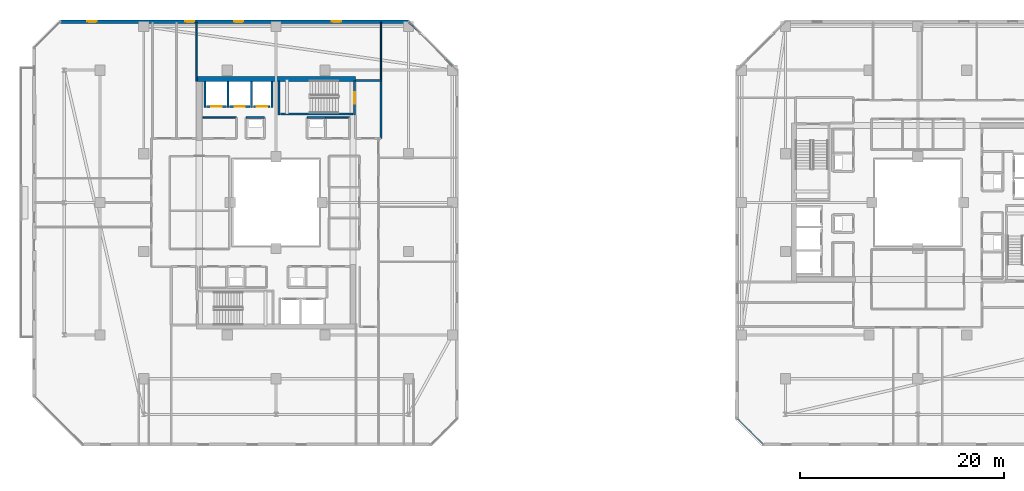
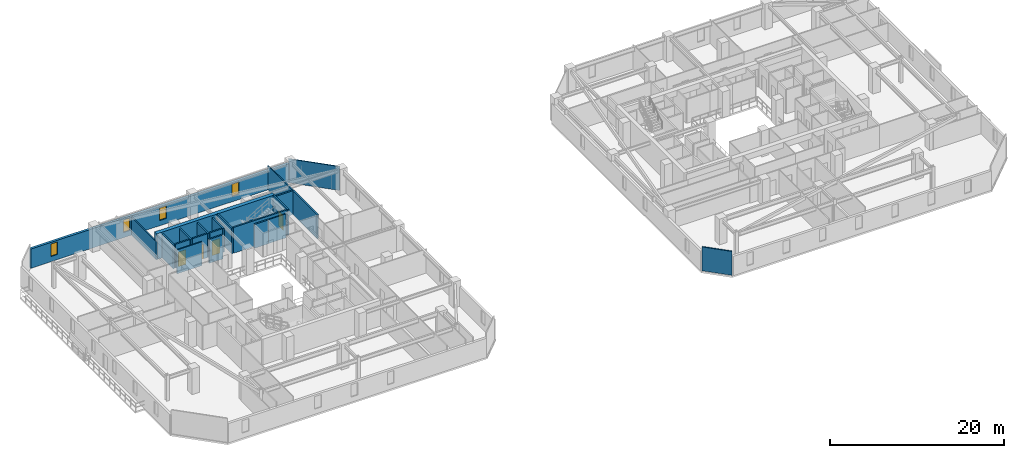
# One storey, part 21 of 32: 22 walls, 4 doors, 4 windows, 8 openings.
"""IFC4 building model written with IfcOpenShell, lengths in metres."""

from ifc_helpers import new_model, si_unit, direction, frame, frame_2d, origin, place, context, subcontext, project, spatial, rectangle, extrude, material, layer, layer_set, type_object, element, fill, save


model = new_model("IFC4")

# Units and contexts
model_context = context("Model", 3, precision=1e-05, world=origin(), true_north=direction((0.0, 1.0)))
body_context = subcontext(model_context, "Body", "Model", "MODEL_VIEW")
ifc_project = project(units=[si_unit("LENGTHUNIT", "METRE"), si_unit("AREAUNIT", "SQUARE_METRE"), si_unit("VOLUMEUNIT", "CUBIC_METRE"), si_unit("PLANEANGLEUNIT", "RADIAN"), si_unit("MASSUNIT", "GRAM", prefix="KILO")], contexts=[model_context])

# Site, building, storey
site_placement = place(None, origin())
site = spatial("IfcSite", under=ifc_project, at=site_placement, CompositionType="ELEMENT")
building_placement = place(site_placement, origin())
building = spatial("IfcBuilding", under=site, at=building_placement, Name="Thornwick Lancets Civic Towers", CompositionType="ELEMENT")
storey_placement = place(building_placement, frame((0.0, 0.0, 247.5)))
storey = spatial("IfcBuildingStorey", under=building, at=storey_placement, Name="L66", CompositionType="ELEMENT", Elevation=247.5)

# Wall, opening, door
ifc_material_1 = material(Name="Concrete blockwork C40/50", Category="masonry")
ifc_layer_1 = layer(ifc_material_1, 0.199951171875, Name="Concrete blockwork C40/50")
ifc_layer_set_1 = layer_set([ifc_layer_1], Name="Concrete blockwork C40/50")
wall_type_1 = type_object("IfcWallType", Name="WALL_COMP_200", PredefinedType="STANDARD", material=ifc_layer_set_1)
wall_1_placement = place(storey_placement, frame((24.919921875, 36.449951171875, 0.0), z_axis=(0.0, 0.0, 1.0), x_axis=(-1.0, 0.0, 0.0)))
wall_1 = element("IfcWall", 1, at=wall_1_placement, inside=storey, type_object=wall_type_1, Name="L66 Hoistway Front Wall FL-A2", PredefinedType="STANDARD", context=body_context, shape_type="SweptSolid", body=[
    extrude(rectangle(XDim=1.639892578125, YDim=0.199951171875, at=frame_2d((0.81982421875, 0.0))), origin(), (0.0, 0.0, 1.0), 3.340087890625),
])
opening_1_placement = place(wall_1_placement, frame((0.31005859375, 0.0, 0.0)))
opening_1 = element("IfcOpeningElement", 2, at=opening_1_placement, cuts=wall_1, Name="Opening LD-FL-A2", PredefinedType="OPENING", context=body_context, shape_type="SweptSolid", body=[
    extrude(rectangle(XDim=1.02001953125, YDim=2.06005859375, at=frame_2d((0.510009765625, 1.030029296875))), frame((0.0, 0.10986328125, 0.0), z_axis=(0.0, -1.0, 0.0), x_axis=(1.0, 0.0, 0.0)), (0.0, 0.0, 1.0), 0.219970703125),
])
ifc_material_2 = material(Name="Brushed bronze stainless steel", Category="steel")
door_type_1 = type_object("IfcDoorType", Name="DOOR_LIFT_SLIDE", OperationType="SLIDING_TO_LEFT", PredefinedType="DOOR", material=ifc_material_2)
door_1_placement = place(opening_1_placement, origin())
door_1 = element("IfcDoor", 3, at=door_1_placement, inside=storey, type_object=door_type_1, Name="L66 Sliding Lift Landing Door LD-FL-A2", OperationType="SLIDING_TO_LEFT", OverallHeight=2.06005859375, OverallWidth=1.02001953125, PredefinedType="DOOR", context=body_context, shape_type="SweptSolid", body=[
    extrude(rectangle(XDim=1.02001953125, YDim=2.06005859375, at=frame_2d((0.510009765625, 1.030029296875))), frame((0.0, 0.02490234375, 0.0), z_axis=(0.0, -1.0, 0.0), x_axis=(1.0, 0.0, 0.0)), (0.0, 0.0, 1.0), 0.050048828125),
])
fill(opening_1, door_1)

wall_2_placement = place(storey_placement, frame((22.919921875, 36.449951171875, 0.0), z_axis=(0.0, 0.0, 1.0), x_axis=(-1.0, 0.0, 0.0)))
wall_2 = element("IfcWall", 4, at=wall_2_placement, inside=storey, type_object=wall_type_1, Name="L66 Hoistway Front Wall PL-AH2", PredefinedType="STANDARD", context=body_context, shape_type="SweptSolid", body=[
    extrude(rectangle(XDim=1.989990234375, YDim=0.199951171875, at=frame_2d((0.9951171875, 0.0))), origin(), (0.0, 0.0, 1.0), 3.340087890625),
])
opening_2_placement = place(wall_2_placement, frame((0.485107421875, 0.0, 0.0)))
opening_2 = element("IfcOpeningElement", 5, at=opening_2_placement, cuts=wall_2, Name="Opening LD-PL-AH2", PredefinedType="OPENING", context=body_context, shape_type="SweptSolid", body=[
    extrude(rectangle(XDim=1.02001953125, YDim=2.06005859375, at=frame_2d((0.510009765625, 1.030029296875))), frame((0.0, 0.10986328125, 0.0), z_axis=(0.0, -1.0, 0.0), x_axis=(1.0, 0.0, 0.0)), (0.0, 0.0, 1.0), 0.219970703125),
])
door_2_placement = place(opening_2_placement, origin())
door_2 = element("IfcDoor", 6, at=door_2_placement, inside=storey, type_object=door_type_1, Name="L66 Sliding Lift Landing Door LD-PL-AH2", OperationType="SLIDING_TO_LEFT", OverallHeight=2.06005859375, OverallWidth=1.02001953125, PredefinedType="DOOR", context=body_context, shape_type="SweptSolid", body=[
    extrude(rectangle(XDim=1.02001953125, YDim=2.06005859375, at=frame_2d((0.510009765625, 1.030029296875))), frame((0.0, 0.02490234375, 0.0), z_axis=(0.0, -1.0, 0.0), x_axis=(1.0, 0.0, 0.0)), (0.0, 0.0, 1.0), 0.050048828125),
])
fill(opening_2, door_2)

wall_3_placement = place(storey_placement, frame((20.6201171875, 36.449951171875, 0.0), z_axis=(0.0, 0.0, 1.0), x_axis=(-1.0, 0.0, 0.0)))
wall_3 = element("IfcWall", 7, at=wall_3_placement, inside=storey, type_object=wall_type_1, Name="L66 Hoistway Front Wall PL-AH3", PredefinedType="STANDARD", context=body_context, shape_type="SweptSolid", body=[
    extrude(rectangle(XDim=1.940185546875, YDim=0.199951171875, at=frame_2d((0.97021484375, 0.0))), origin(), (0.0, 0.0, 1.0), 3.340087890625),
])
opening_3_placement = place(wall_3_placement, frame((0.4599609375, 0.0, 0.0)))
opening_3 = element("IfcOpeningElement", 8, at=opening_3_placement, cuts=wall_3, Name="Opening LD-PL-AH3", PredefinedType="OPENING", context=body_context, shape_type="SweptSolid", body=[
    extrude(rectangle(XDim=1.02001953125, YDim=2.06005859375, at=frame_2d((0.510009765625, 1.030029296875))), frame((0.0, 0.10986328125, 0.0), z_axis=(0.0, -1.0, 0.0), x_axis=(1.0, 0.0, 0.0)), (0.0, 0.0, 1.0), 0.219970703125),
])
door_3_placement = place(opening_3_placement, origin())
door_3 = element("IfcDoor", 9, at=door_3_placement, inside=storey, type_object=door_type_1, Name="L66 Sliding Lift Landing Door LD-PL-AH3", OperationType="SLIDING_TO_LEFT", OverallHeight=2.06005859375, OverallWidth=1.02001953125, PredefinedType="DOOR", context=body_context, shape_type="SweptSolid", body=[
    extrude(rectangle(XDim=1.02001953125, YDim=2.06005859375, at=frame_2d((0.510009765625, 1.030029296875))), frame((0.0, 0.02490234375, 0.0), z_axis=(0.0, -1.0, 0.0), x_axis=(1.0, 0.0, 0.0)), (0.0, 0.0, 1.0), 0.050048828125),
])
fill(opening_3, door_3)

# Walls
for number, where, z_axis, x_axis, name in (
    (10, (25.10009765625, 36.35205078125, 0.0), (0.0, 0.0, 1.0), (0.0, 1.0, 0.0), "L66 Hoistway Shaft Wall FL-A2 E"),
    (11, (23.10009765625, 36.35205078125, 0.0), (0.0, 0.0, 1.0), (0.0, 1.0, 0.0), "L66 Hoistway Shaft Wall FL-A2 W"),
    (12, (20.77490234375, 36.35205078125, 0.0), (0.0, 0.0, 1.0), (0.0, 1.0, 0.0), "L66 Hoistway Shaft Wall PL-AH2 W"),
    (13, (18.5, 36.35205078125, 0.0), (0.0, 0.0, 1.0), (0.0, 1.0, 0.0), "L66 Hoistway Shaft Wall PL-AH3 W"),
):
    element("IfcWall", number, at=place(storey_placement, frame(where, z_axis=z_axis, x_axis=x_axis)), inside=storey, type_object=wall_type_1, Name=name, PredefinedType="STANDARD", context=body_context, shape_type="SweptSolid", body=[
        extrude(rectangle(XDim=2.535888671875, YDim=0.199951171875, at=frame_2d((1.26806640625, 0.0))), origin(), (0.0, 0.0, 1.0), 3.340087890625),
    ])
wall_4_placement = place(storey_placement, frame((35.800048828125, 33.300048828125, 0.0), z_axis=(0.0, 0.0, 1.0), x_axis=(0.0, 1.0, 0.0)))
element("IfcWall", 14, at=wall_4_placement, inside=storey, type_object=wall_type_1, Name="L66 Partition L66-A-FFLOB2 E2", PredefinedType="STANDARD", context=body_context, shape_type="SweptSolid", body=[
    extrude(rectangle(XDim=5.699951171875, YDim=0.199951171875, at=frame_2d((2.85009765625, 0.0))), origin(), (0.0, 0.0, 1.0), 3.340087890625),
])
wall_5_placement = place(storey_placement, frame((35.800048828125, 39.0, 0.0), z_axis=(0.0, 0.0, 1.0), x_axis=(-1.0, 0.0, 0.0)))
element("IfcWall", 15, at=wall_5_placement, inside=storey, type_object=wall_type_1, Name="L66 Partition L66-A-FFLOB2 E3", PredefinedType="STANDARD", context=body_context, shape_type="SweptSolid", body=[
    extrude(rectangle(XDim=2.5, YDim=0.199951171875, at=frame_2d((1.25, 0.0))), origin(), (0.0, 0.0, 1.0), 3.340087890625),
])
for number, where, z_axis, x_axis, name in (
    (16, (24.35009765625, 35.35009765625, 0.0), (0.0, 0.0, 1.0), (-1.0, 0.0, 0.0), "L66 Partition L66-A-DUCT2 E3"),
    (17, (30.35009765625, 35.35009765625, 0.0), (0.0, 0.0, 1.0), (-1.0, 0.0, 0.0), "L66 Partition L66-A-RISER2 E3"),
):
    element("IfcWall", number, at=place(storey_placement, frame(where, z_axis=z_axis, x_axis=x_axis)), inside=storey, type_object=wall_type_1, Name=name, PredefinedType="STANDARD", context=body_context, shape_type="SweptSolid", body=[
        extrude(rectangle(XDim=1.800048828125, YDim=0.199951171875, at=frame_2d((0.89990234375, 0.0))), origin(), (0.0, 0.0, 1.0), 3.340087890625),
    ])
ifc_material_3 = material(Name="Concrete C50/60", Category="concrete")
ifc_layer_2 = layer(ifc_material_3, 0.5, Name="Concrete C50/60")
ifc_layer_set_2 = layer_set([ifc_layer_2], Name="Concrete C50/60")
wall_type_2 = type_object("IfcWallType", Name="WALL_CORE_500", PredefinedType="SHEAR", material=ifc_layer_set_2)
wall_6_placement = place(storey_placement, frame((17.699951171875, 39.14990234375, 0.0), z_axis=(0.0, 0.0, 1.0), x_axis=(1.0, 0.0, 0.0)))
element("IfcWall", 18, at=wall_6_placement, inside=storey, type_object=wall_type_2, Name="L66 Split Core A2 Shear Wall N", PredefinedType="SHEAR", context=body_context, shape_type="SweptSolid", body=[
    extrude(rectangle(XDim=15.60009765625, YDim=0.5, at=frame_2d((7.800048828125, 0.0))), origin(), (0.0, 0.0, 1.0), 3.60009765625),
])

# Wall, openings, windows
ifc_material_4 = material(Name="Insulated buff terracotta rainscreen on concrete C40/50", Category="masonry")
ifc_layer_3 = layer(ifc_material_4, 0.320068359375, Name="Insulated buff terracotta rainscreen on concrete C40/50")
ifc_layer_set_3 = layer_set([ifc_layer_3], Name="Insulated buff terracotta rainscreen on concrete C40/50")
wall_type_3 = type_object("IfcWallType", Name="WALL_EXT_TERRA_320", PredefinedType="STANDARD", material=ifc_layer_set_3)
wall_7_placement = place(storey_placement, frame((38.47509765625, 44.75732421875, 0.0), z_axis=(0.0, 0.0, 1.0), x_axis=(-0.99999997701, 0.000214431216, 0.0)))
wall_7 = element("IfcWall", 19, at=wall_7_placement, inside=storey, type_object=wall_type_3, Name="L66 Tower A Terracotta Facade Wall E4", PredefinedType="STANDARD", context=body_context, shape_type="SweptSolid", body=[
    extrude(rectangle(XDim=34.156494140625, YDim=0.320068359375, at=frame_2d((17.078125, 0.0))), origin(), (0.0, 0.0, 1.0), 2.699951171875),
])
opening_4_placement = place(wall_7_placement, frame((6.60009765625, 0.0, 0.719970703125)))
opening_4 = element("IfcOpeningElement", 20, at=opening_4_placement, cuts=wall_7, Name="Opening WL-01", PredefinedType="OPENING", context=body_context, shape_type="SweptSolid", body=[
    extrude(rectangle(XDim=0.89990234375, YDim=1.75, at=frame_2d((0.449951171875, 0.875))), frame((0.0, 0.169921875, 0.0), z_axis=(0.0, -1.0, 0.0), x_axis=(1.0, 0.0, 0.0)), (0.0, 0.0, 1.0), 0.340087890625),
])
opening_5_placement = place(wall_7_placement, frame((16.199951171875, 0.0, 0.719970703125)))
opening_5 = element("IfcOpeningElement", 21, at=opening_5_placement, cuts=wall_7, Name="Opening WL-01", PredefinedType="OPENING", context=body_context, shape_type="SweptSolid", body=[
    extrude(rectangle(XDim=0.89990234375, YDim=1.75, at=frame_2d((0.449951171875, 0.875))), frame((0.0, 0.169921875, 0.0), z_axis=(0.0, -1.0, 0.0), x_axis=(1.0, 0.0, 0.0)), (0.0, 0.0, 1.0), 0.340087890625),
])
opening_6_placement = place(wall_7_placement, frame((21.0, 0.0, 0.719970703125)))
opening_6 = element("IfcOpeningElement", 22, at=opening_6_placement, cuts=wall_7, Name="Opening WL-01", PredefinedType="OPENING", context=body_context, shape_type="SweptSolid", body=[
    extrude(rectangle(XDim=0.89990234375, YDim=1.75, at=frame_2d((0.449951171875, 0.875))), frame((0.0, 0.169921875, 0.0), z_axis=(0.0, -1.0, 0.0), x_axis=(1.0, 0.0, 0.0)), (0.0, 0.0, 1.0), 0.340087890625),
])
opening_7_placement = place(wall_7_placement, frame((30.60009765625, 0.0, 0.719970703125)))
opening_7 = element("IfcOpeningElement", 23, at=opening_7_placement, cuts=wall_7, Name="Opening WL-01", PredefinedType="OPENING", context=body_context, shape_type="SweptSolid", body=[
    extrude(rectangle(XDim=0.89990234375, YDim=1.75, at=frame_2d((0.449951171875, 0.875))), frame((0.0, 0.169921875, 0.0), z_axis=(0.0, -1.0, 0.0), x_axis=(1.0, 0.0, 0.0)), (0.0, 0.0, 1.0), 0.340087890625),
])
ifc_material_5 = material(Name="Clear low-e double glazing in bronze frame", Category="glass")
window_type = type_object("IfcWindowType", Name="WIN_LANCET_900", PartitioningType="SINGLE_PANEL", PredefinedType="WINDOW", material=ifc_material_5)
window_1_placement = place(opening_4_placement, origin())
window_1 = element("IfcWindow", 24, at=window_1_placement, inside=storey, type_object=window_type, Name="L66 Tower A Staggered Lancet Window E4-1", OverallHeight=1.75, OverallWidth=0.89990234375, PartitioningType="SINGLE_PANEL", PredefinedType="WINDOW", context=body_context, shape_type="SweptSolid", body=[
    extrude(rectangle(XDim=0.89990234375, YDim=1.75, at=frame_2d((0.449951171875, 0.875))), frame((0.0, 0.030029296875, 0.0), z_axis=(0.0, -1.0, 0.0), x_axis=(1.0, 0.0, 0.0)), (0.0, 0.0, 1.0), 0.06005859375),
])
fill(opening_4, window_1)
window_2_placement = place(opening_5_placement, origin())
window_2 = element("IfcWindow", 25, at=window_2_placement, inside=storey, type_object=window_type, Name="L66 Tower A Staggered Lancet Window E4-2", OverallHeight=1.75, OverallWidth=0.89990234375, PartitioningType="SINGLE_PANEL", PredefinedType="WINDOW", context=body_context, shape_type="SweptSolid", body=[
    extrude(rectangle(XDim=0.89990234375, YDim=1.75, at=frame_2d((0.449951171875, 0.875))), frame((0.0, 0.030029296875, 0.0), z_axis=(0.0, -1.0, 0.0), x_axis=(1.0, 0.0, 0.0)), (0.0, 0.0, 1.0), 0.06005859375),
])
fill(opening_5, window_2)
window_3_placement = place(opening_6_placement, origin())
window_3 = element("IfcWindow", 26, at=window_3_placement, inside=storey, type_object=window_type, Name="L66 Tower A Staggered Lancet Window E4-3", OverallHeight=1.75, OverallWidth=0.89990234375, PartitioningType="SINGLE_PANEL", PredefinedType="WINDOW", context=body_context, shape_type="SweptSolid", body=[
    extrude(rectangle(XDim=0.89990234375, YDim=1.75, at=frame_2d((0.449951171875, 0.875))), frame((0.0, 0.030029296875, 0.0), z_axis=(0.0, -1.0, 0.0), x_axis=(1.0, 0.0, 0.0)), (0.0, 0.0, 1.0), 0.06005859375),
])
fill(opening_6, window_3)
window_4_placement = place(opening_7_placement, origin())
window_4 = element("IfcWindow", 27, at=window_4_placement, inside=storey, type_object=window_type, Name="L66 Tower A Staggered Lancet Window E4-4", OverallHeight=1.75, OverallWidth=0.89990234375, PartitioningType="SINGLE_PANEL", PredefinedType="WINDOW", context=body_context, shape_type="SweptSolid", body=[
    extrude(rectangle(XDim=0.89990234375, YDim=1.75, at=frame_2d((0.449951171875, 0.875))), frame((0.0, 0.030029296875, 0.0), z_axis=(0.0, -1.0, 0.0), x_axis=(1.0, 0.0, 0.0)), (0.0, 0.0, 1.0), 0.06005859375),
])
fill(opening_7, window_4)

# Walls
ifc_material_6 = material(Name="Acoustic gypsum board partition")
ifc_layer_4 = layer(ifc_material_6, 0.1201171875, Name="Acoustic gypsum board partition")
ifc_layer_set_4 = layer_set([ifc_layer_4], Name="Acoustic gypsum board partition")
wall_type_4 = type_object("IfcWallType", Name="WALL_PART_120", PredefinedType="PARTITIONING", material=ifc_layer_set_4)
wall_8_placement = place(storey_placement, frame((35.800048828125, 39.0, 0.0), z_axis=(0.0, 0.0, 1.0), x_axis=(0.0, 1.0, 0.0)))
element("IfcWall", 28, at=wall_8_placement, inside=storey, type_object=wall_type_4, Name="L66 Partition L66-A-E4 E3", PredefinedType="PARTITIONING", context=body_context, shape_type="SweptSolid", body=[
    extrude(rectangle(XDim=5.719970703125, YDim=0.1201171875, at=frame_2d((2.85986328125, 0.0))), origin(), (0.0, 0.0, 1.0), 3.340087890625),
])
wall_9_placement = place(storey_placement, frame((38.510498046875, 44.719970703125, 0.0), z_axis=(0.0, 0.0, 1.0), x_axis=(0.707106781187, -0.707106781187, 0.0)))
element("IfcWall", 29, at=wall_9_placement, inside=storey, type_object=wall_type_4, Name="L66 Partition L66-A-E4 E5", PredefinedType="PARTITIONING", context=body_context, shape_type="SweptSolid", body=[
    extrude(rectangle(XDim=6.06640625, YDim=0.1201171875, at=frame_2d((3.033203125, 0.0))), origin(), (0.0, 0.0, 1.0), 3.340087890625),
])
ifc_material_7 = material(Name="Twin-stud acoustic gypsum board")
ifc_layer_5 = layer(ifc_material_7, 0.14990234375, Name="Twin-stud acoustic gypsum board")
ifc_layer_set_5 = layer_set([ifc_layer_5], Name="Twin-stud acoustic gypsum board")
wall_type_5 = type_object("IfcWallType", Name="WALL_PART_150", PredefinedType="PARTITIONING", material=ifc_layer_set_5)
wall_10_placement = place(storey_placement, frame((21.60009765625, 35.35009765625, 0.0), z_axis=(0.0, 0.0, 1.0), x_axis=(-1.0, 0.0, 0.0)))
element("IfcWall", 30, at=wall_10_placement, inside=storey, type_object=wall_type_5, Name="L66 Partition L66-A-MWC E3", PredefinedType="PARTITIONING", context=body_context, shape_type="SweptSolid", body=[
    extrude(rectangle(XDim=3.300048828125, YDim=0.14990234375, at=frame_2d((1.64990234375, 0.0))), origin(), (0.0, 0.0, 1.0), 3.340087890625),
])
wall_11_placement = place(storey_placement, frame((30.35009765625, 35.35009765625, 0.0), z_axis=(0.0, 0.0, 1.0), x_axis=(1.0, 0.0, 0.0)))
element("IfcWall", 31, at=wall_11_placement, inside=storey, type_object=wall_type_5, Name="L66 Partition L66-A-FWC E4", PredefinedType="PARTITIONING", context=body_context, shape_type="SweptSolid", body=[
    extrude(rectangle(XDim=2.349853515625, YDim=0.14990234375, at=frame_2d((1.1748046875, 0.0))), origin(), (0.0, 0.0, 1.0), 3.340087890625),
])
wall_12_placement = place(storey_placement, frame((17.699951171875, 44.719970703125, 0.0), z_axis=(0.0, 0.0, 1.0), x_axis=(0.0, -1.0, 0.0)))
element("IfcWall", 32, at=wall_12_placement, inside=storey, type_object=wall_type_5, Name="L66 Partition L66-A-RECLAIM-M2 E3", PredefinedType="PARTITIONING", context=body_context, shape_type="SweptSolid", body=[
    extrude(rectangle(XDim=5.820068359375, YDim=0.14990234375, at=frame_2d((2.91015625, 0.0))), origin(), (0.0, 0.0, 1.0), 2.544921875),
])
wall_13_placement = place(storey_placement, frame((73.274658203125, 3.280029296875, 0.0), z_axis=(0.0, 0.0, 1.0), x_axis=(-0.707106781187, 0.707106781187, 0.0)))
element("IfcWall", 33, at=wall_13_placement, inside=storey, type_object=wall_type_5, Name="L66 Partition L66-B-W2C E2", PredefinedType="PARTITIONING", context=body_context, shape_type="SweptSolid", body=[
    extrude(rectangle(XDim=3.52783203125, YDim=0.14990234375, at=frame_2d((1.763916015625, 0.0))), origin(), (0.0, 0.0, 1.0), 3.340087890625),
])

# Wall, opening, door
ifc_material_8 = material(Name="Concrete C40/50", Category="concrete")
ifc_layer_6 = layer(ifc_material_8, 0.199951171875, Name="Concrete C40/50")
ifc_layer_set_6 = layer_set([ifc_layer_6], Name="Concrete C40/50")
wall_type_6 = type_object("IfcWallType", Name="WALL_SHAFT_200", PredefinedType="SHEAR", material=ifc_layer_set_6)
wall_14_placement = place(storey_placement, frame((33.199951171875, 38.949951171875, 0.0), z_axis=(0.0, 0.0, 1.0), x_axis=(0.0, -1.0, 0.0)))
wall_14 = element("IfcWall", 34, at=wall_14_placement, inside=storey, type_object=wall_type_6, Name="L66 ST-A2 Fire Stair Core Wall NEAR", PredefinedType="SHEAR", context=body_context, shape_type="SweptSolid", body=[
    extrude(rectangle(XDim=3.349853515625, YDim=0.199951171875, at=frame_2d((1.6748046875, 0.0))), origin(), (0.0, 0.0, 1.0), 3.60009765625),
])
opening_8_placement = place(wall_14_placement, frame((1.125, 0.0, 0.0)))
opening_8 = element("IfcOpeningElement", 35, at=opening_8_placement, cuts=wall_14, Name="Opening D-ST-A2-L66", PredefinedType="OPENING", context=body_context, shape_type="SweptSolid", body=[
    extrude(rectangle(XDim=1.10009765625, YDim=2.10009765625, at=frame_2d((0.550048828125, 1.050048828125))), frame((0.0, 0.10986328125, 0.0), z_axis=(0.0, -1.0, 0.0), x_axis=(1.0, 0.0, 0.0)), (0.0, 0.0, 1.0), 0.219970703125),
])
ifc_material_9 = material(Name="Fire-resisting steel and hardwood", Category="steel")
door_type_2 = type_object("IfcDoorType", Name="DOOR_STAIR_FD60", OperationType="NOTDEFINED", PredefinedType="DOOR", material=ifc_material_9)
door_4_placement = place(opening_8_placement, origin())
door_4 = element("IfcDoor", 36, at=door_4_placement, inside=storey, type_object=door_type_2, Name="L66 ST-A2 Exit Stair Door", OperationType="SINGLE_SWING_LEFT", OverallHeight=2.10009765625, OverallWidth=1.10009765625, PredefinedType="DOOR", context=body_context, shape_type="SweptSolid", body=[
    extrude(rectangle(XDim=1.10009765625, YDim=2.10009765625, at=frame_2d((0.550048828125, 1.050048828125))), frame((0.0, 0.02490234375, 0.0), z_axis=(0.0, -1.0, 0.0), x_axis=(1.0, 0.0, 0.0)), (0.0, 0.0, 1.0), 0.050048828125),
])
fill(opening_8, door_4)

# Walls
wall_15_placement = place(storey_placement, frame((25.800048828125, 35.60009765625, 0.0), z_axis=(0.0, 0.0, 1.0), x_axis=(0.0, 1.0, 0.0)))
element("IfcWall", 37, at=wall_15_placement, inside=storey, type_object=wall_type_6, Name="L66 ST-A2 Fire Stair Core Wall FAR", PredefinedType="SHEAR", context=body_context, shape_type="SweptSolid", body=[
    extrude(rectangle(XDim=3.349853515625, YDim=0.199951171875, at=frame_2d((1.6748046875, 0.0))), origin(), (0.0, 0.0, 1.0), 3.60009765625),
])
wall_16_placement = place(storey_placement, frame((25.949951171875, 35.702880859375, 0.0), z_axis=(0.0, 0.0, 1.0), x_axis=(1.0, 0.0, 0.0)))
element("IfcWall", 38, at=wall_16_placement, inside=storey, type_object=wall_type_6, Name="L66 ST-A2 Fire Stair Core Wall RIGHT", PredefinedType="SHEAR", context=body_context, shape_type="SweptSolid", body=[
    extrude(rectangle(XDim=7.10009765625, YDim=0.199951171875, at=frame_2d((3.550048828125, 0.0))), origin(), (0.0, 0.0, 1.0), 3.60009765625),
])

save(model, "model.ifc")
